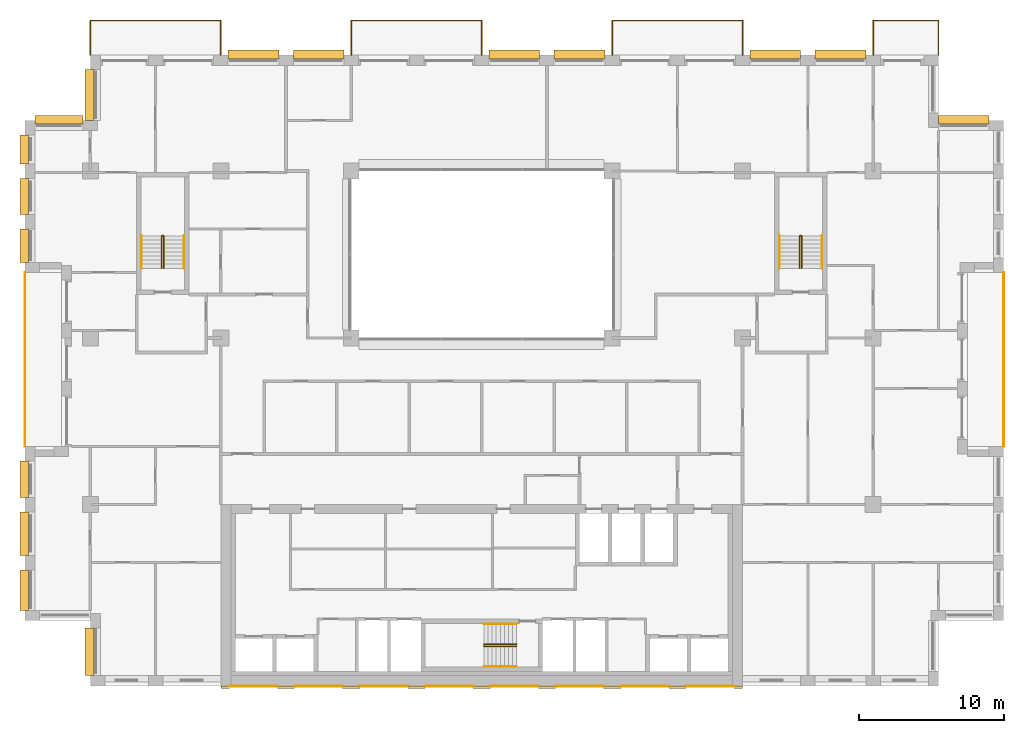
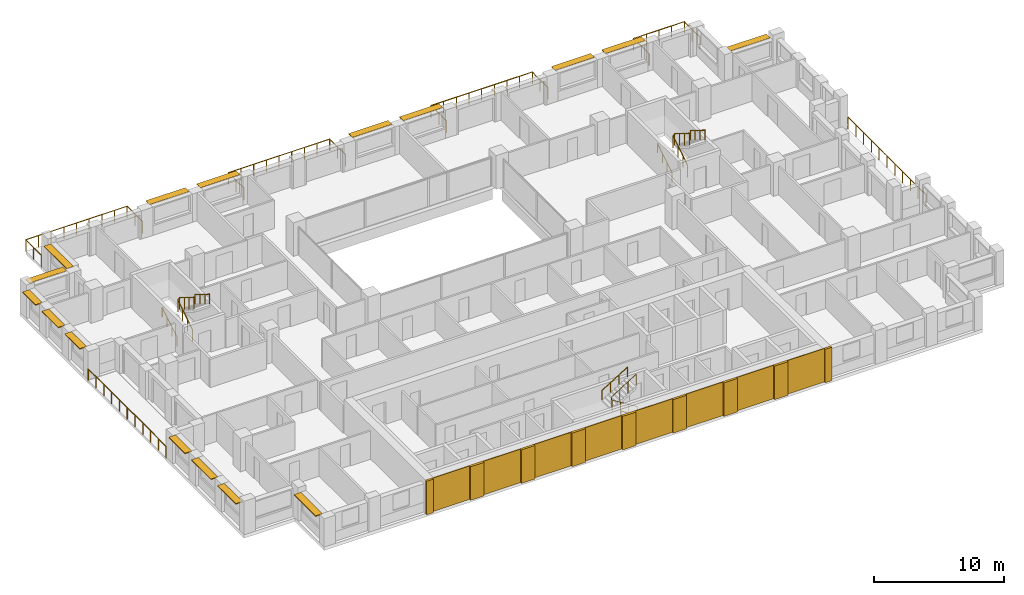
# One storey, part 16 of 16: 17 coverings, 16 shading devices, 15 railings.
"""IFC4 building model written with IfcOpenShell, lengths in metres."""

import ifcopenshell
import ifcopenshell.guid

model = None  # the IFC model being written
_history = None  # IfcOwnerHistory: only IFC2X3 demands one
_inside = {}  # id of a spatial element -> (the spatial element, [elements in it])
_under = {}  # id of a project, library or spatial element -> (it, [spatial elements below it])
_declared = {}  # id of a project -> (the project, [libraries it declares])
_typed = {}  # id of a type object -> (the type object, [elements of that type])
_made_of = {}  # id of a material, layer set ... -> (it, [elements and type objects made of it])


def new_model(schema):
    """Start an empty IFC model of exactly this schema.

    Asked for "IFC4X3", IfcOpenShell would pick the latest addendum, in which some entities
    have other attributes; the version numbers below select the first issue.
    IFC2X3 requires an IfcOwnerHistory on every rooted entity: one is made here for all.
    """
    global model, _history
    if schema == "IFC4X3":
        model = ifcopenshell.file(schema_version=(4, 3, 0, 0))
    else:
        model = ifcopenshell.file(schema=schema)
    _inside.clear()
    _under.clear()
    _declared.clear()
    _typed.clear()
    _made_of.clear()
    _history = None
    if model.schema == "IFC2X3":
        org = make("IfcOrganization", Name="unknown")
        user = make(
            "IfcPersonAndOrganization",
            ThePerson=make("IfcPerson", FamilyName="unknown"),
            TheOrganization=org,
        )
        app = make(
            "IfcApplication",
            ApplicationDeveloper=org,
            Version="unknown",
            ApplicationFullName="unknown",
            ApplicationIdentifier="unknown",
        )
        _history = make(
            "IfcOwnerHistory",
            OwningUser=user,
            OwningApplication=app,
            ChangeAction="ADDED",
            CreationDate=0,
        )
    return model


def make(cls, **values):
    """One entity of the class cls with the attributes given. An attribute that is None is left unset."""
    return model.create_entity(
        cls, **{name: value for name, value in values.items() if value is not None}
    )


def rooted(cls, **values):
    """An entity with a GlobalId (a new one), such as an element, a storey or a relation."""
    return make(cls, GlobalId=ifcopenshell.guid.new(), OwnerHistory=_history, **values)


def si_unit(unit_type, name, prefix=None):
    """IfcSIUnit, for example si_unit("LENGTHUNIT", "METRE", prefix="MILLI")."""
    return make("IfcSIUnit", UnitType=unit_type, Prefix=prefix, Name=name)


def assignment(units):
    """IfcUnitAssignment: the units of a project."""
    return None if units is None else make("IfcUnitAssignment", Units=units)


def point(xyz):
    """IfcCartesianPoint."""
    return None if xyz is None else make("IfcCartesianPoint", Coordinates=xyz)


def direction(xyz):
    """IfcDirection."""
    return None if xyz is None else make("IfcDirection", DirectionRatios=xyz)


def frame(location, z_axis=None, x_axis=None):
    """IfcAxis2Placement3D, a coordinate frame: its origin and axes. An axis left out is left unset."""
    return make(
        "IfcAxis2Placement3D",
        Location=point(location),
        Axis=direction(z_axis),
        RefDirection=direction(x_axis),
    )


def frame_2d(location, x_axis=None):
    """IfcAxis2Placement2D, a coordinate frame in the plane: its origin and x axis."""
    return make(
        "IfcAxis2Placement2D", Location=point(location), RefDirection=direction(x_axis)
    )


def origin():
    """The frame at (0, 0, 0) with its axes left unset."""
    return frame((0.0, 0.0, 0.0))


def origin_2d():
    """The frame at (0, 0) in the plane with its x axis left unset."""
    return frame_2d((0.0, 0.0))


def place(relative_to, where):
    """IfcLocalPlacement: puts the frame where relative to a parent placement (None: the world)."""
    return make(
        "IfcLocalPlacement", PlacementRelTo=relative_to, RelativePlacement=where
    )


def context(
    kind, dimensions, precision=None, world=None, true_north=None, identifier=None
):
    """IfcGeometricRepresentationContext, for example the 3D "Model" context."""
    return make(
        "IfcGeometricRepresentationContext",
        ContextIdentifier=identifier,
        ContextType=kind,
        CoordinateSpaceDimension=dimensions,
        Precision=precision,
        WorldCoordinateSystem=world,
        TrueNorth=true_north,
    )


def subcontext(parent, identifier, kind, view, scale=None):
    """IfcGeometricRepresentationSubContext, for example "Body" below "Model"."""
    return make(
        "IfcGeometricRepresentationSubContext",
        ContextIdentifier=identifier,
        ContextType=kind,
        ParentContext=parent,
        TargetScale=scale,
        TargetView=view,
    )


def project(units=None, contexts=None):
    """IfcProject with its units and contexts."""
    return rooted(
        "IfcProject",
        Name="project",
        RepresentationContexts=contexts,
        UnitsInContext=assignment(units),
    )


def spatial(cls, under=None, at=None, **own):
    """A site, building, storey or space (cls), placed at a placement, below another one or the project."""
    s = rooted(cls, ObjectPlacement=at, **own)
    if under is not None:
        _under.setdefault(under.id(), (under, []))[1].append(s)
    return s


def profile(cls, at=None, kind="AREA", **sizes):
    """A parametric profile (cls). Its sizes go by their IFC names, for example OverallWidth=200.0."""
    return make(cls, ProfileType=kind, Position=at, **sizes)


def rectangle(**sizes):
    """IfcRectangleProfileDef."""
    return profile("IfcRectangleProfileDef", **sizes)


def circle(**sizes):
    """IfcCircleProfileDef."""
    return profile("IfcCircleProfileDef", **sizes)


def extrude(swept, where, along, depth):
    """IfcExtrudedAreaSolid: the profile swept, set in the frame where, extruded along a direction by depth."""
    return make(
        "IfcExtrudedAreaSolid",
        SweptArea=swept,
        Position=where,
        ExtrudedDirection=direction(along),
        Depth=depth,
    )


def shape(context_of_items, identifier, shape_type, items):
    """IfcShapeRepresentation: the items that make up one representation, for example the "Body"."""
    return make(
        "IfcShapeRepresentation",
        ContextOfItems=context_of_items,
        RepresentationIdentifier=identifier,
        RepresentationType=shape_type,
        Items=items,
    )


def material(Name=None, Category=None):
    """IfcMaterial."""
    return make("IfcMaterial", Name=Name, Category=Category)


def layer(
    of_material, thickness, ventilated=None, Name=None, Category=None, Priority=None
):
    """IfcMaterialLayer: one layer of a wall or slab, of a material (None: an air gap)."""
    return make(
        "IfcMaterialLayer",
        Material=of_material,
        LayerThickness=thickness,
        IsVentilated=ventilated,
        Name=Name,
        Category=Category,
        Priority=Priority,
    )


def layer_set(layers, Name=None):
    """IfcMaterialLayerSet."""
    return make("IfcMaterialLayerSet", MaterialLayers=layers, LayerSetName=Name)


def made_of(thing, what):
    """Note that an element or type object is made of a material, layer set ...; save() writes the relation."""
    if what is not None:
        _made_of.setdefault(what.id(), (what, []))[1].append(thing)
    return thing


def type_object(cls, material=None, **own):
    """A type object (cls), such as IfcWallType, which elements share."""
    return made_of(rooted(cls, **own), material)


def element(
    cls,
    number,
    at=None,
    inside=None,
    cuts=None,
    type_object=None,
    material=None,
    context=None,
    identifier="Body",
    shape_type=None,
    held_by="IfcProductDefinitionShape",
    body=None,
    shapes=None,
    **own,
):
    """One element of the class cls, such as IfcWall. Its Tag is "e" and its number.

    at: its placement. inside: the storey or other place that contains it. cuts: it is an
    opening in that element (IfcRelVoidsElement). A single representation is given by context,
    identifier, shape_type and body (its items); several are given by shapes. held_by: the class
    of the entity that holds the representations. save() writes the other relations.
    """
    e = rooted(cls, Tag="e%d" % number, ObjectPlacement=at, **own)
    if body is not None:
        shapes = [shape(context, identifier, shape_type, body)]
    if shapes is not None:
        e.Representation = make(held_by, Representations=shapes)
    if inside is not None:
        _inside.setdefault(inside.id(), (inside, []))[1].append(e)
    if cuts is not None:
        rooted(
            "IfcRelVoidsElement", RelatingBuildingElement=cuts, RelatedOpeningElement=e
        )
    if type_object is not None:
        _typed.setdefault(type_object.id(), (type_object, []))[1].append(e)
    return made_of(e, material)


def aggregate(whole, parts):
    """IfcRelAggregates: a whole, such as a stair, and the parts it consists of."""
    return rooted("IfcRelAggregates", RelatingObject=whole, RelatedObjects=parts)


def save(model, path):
    """Write the relations noted so far, then the file.

    IfcRelAggregates (storeys below a building ...), IfcRelContainedInSpatialStructure (elements
    in a storey), IfcRelDefinesByType, IfcRelAssociatesMaterial and IfcRelDeclares: one each for
    every whole, place, type object, material and project.
    """
    for whole, parts in _under.values():
        aggregate(whole, parts)
    for where, things in _inside.values():
        rooted(
            "IfcRelContainedInSpatialStructure",
            RelatedElements=things,
            RelatingStructure=where,
        )
    for kind, things in _typed.values():
        rooted("IfcRelDefinesByType", RelatedObjects=things, RelatingType=kind)
    for what, things in _made_of.values():
        rooted("IfcRelAssociatesMaterial", RelatedObjects=things, RelatingMaterial=what)
    for by, libraries in _declared.values():
        rooted("IfcRelDeclares", RelatingContext=by, RelatedDefinitions=libraries)
    model.write(path)


model = new_model("IFC4")

# Units and contexts
model_context = context("Model", 3, precision=1e-05, world=origin(), true_north=direction((0.0, 1.0)))
body_context = subcontext(model_context, "Body", "Model", "MODEL_VIEW")
ifc_project = project(units=[si_unit("LENGTHUNIT", "METRE"), si_unit("AREAUNIT", "SQUARE_METRE"), si_unit("VOLUMEUNIT", "CUBIC_METRE"), si_unit("PLANEANGLEUNIT", "RADIAN"), si_unit("MASSUNIT", "GRAM", prefix="KILO")], contexts=[model_context])

# Site, building, storey
site_placement = place(None, origin())
site = spatial("IfcSite", under=ifc_project, at=site_placement, CompositionType="ELEMENT")
building_placement = place(site_placement, origin())
building = spatial("IfcBuilding", under=site, at=building_placement, Name="Brigalow Station Residences", CompositionType="ELEMENT")
storey_placement = place(building_placement, frame((0.0, 0.0, 182.25)))
storey = spatial("IfcBuildingStorey", under=building, at=storey_placement, Name="L53", CompositionType="ELEMENT", Elevation=182.25)

# Railings
ifc_material_1 = material(Name="Stainless steel balustrade with laminated glass infill", Category="steel")
railing_type_1 = type_object("IfcRailingType", Name="BALCONY GUARD 1100", PredefinedType="GUARDRAIL", material=ifc_material_1)
railing_1_placement = place(storey_placement, frame((72.0, 16.5, -0.0400390625)))
element("IfcRailing", 1, at=railing_1_placement, inside=storey, type_object=railing_type_1, Name="L53/balcony-guard/1", PredefinedType="GUARDRAIL", context=body_context, shape_type="SweptSolid", body=[
    extrude(circle(Radius=0.02392578125, at=origin_2d()), frame((0.0, 0.0, 1.076171875), z_axis=(0.0, 1.0, 0.0), x_axis=(-1.0, 0.0, 0.0)), (0.0, 0.0, 1.0), 12.0),
    extrude(circle(Radius=0.02099609375, at=origin_2d()), origin(), (0.0, 0.0, 1.0), 1.052001953125),
    extrude(circle(Radius=0.02099609375, at=origin_2d()), frame((0.0, 1.199951171875, 0.0)), (0.0, 0.0, 1.0), 1.052001953125),
    extrude(circle(Radius=0.02099609375, at=origin_2d()), frame((0.0, 2.39990234375, 0.0)), (0.0, 0.0, 1.0), 1.052001953125),
    extrude(circle(Radius=0.02099609375, at=origin_2d()), frame((0.0, 3.60009765625, 0.0)), (0.0, 0.0, 1.0), 1.052001953125),
    extrude(circle(Radius=0.02099609375, at=origin_2d()), frame((0.0, 4.800048828125, 0.0)), (0.0, 0.0, 1.0), 1.052001953125),
    extrude(circle(Radius=0.02099609375, at=origin_2d()), frame((0.0, 6.0, 0.0)), (0.0, 0.0, 1.0), 1.052001953125),
    extrude(circle(Radius=0.02099609375, at=origin_2d()), frame((0.0, 7.199951171875, 0.0)), (0.0, 0.0, 1.0), 1.052001953125),
    extrude(circle(Radius=0.02099609375, at=origin_2d()), frame((0.0, 8.39990234375, 0.0)), (0.0, 0.0, 1.0), 1.052001953125),
    extrude(circle(Radius=0.02099609375, at=origin_2d()), frame((0.0, 9.60009765625, 0.0)), (0.0, 0.0, 1.0), 1.052001953125),
    extrude(circle(Radius=0.02099609375, at=origin_2d()), frame((0.0, 10.800048828125, 0.0)), (0.0, 0.0, 1.0), 1.052001953125),
    extrude(circle(Radius=0.02099609375, at=origin_2d()), frame((0.0, 12.0, 0.0)), (0.0, 0.0, 1.0), 1.052001953125),
])
railing_2_placement = place(storey_placement, frame((67.5, 43.5, -0.0400390625)))
element("IfcRailing", 2, at=railing_2_placement, inside=storey, type_object=railing_type_1, Name="L53/balcony-guard/2", PredefinedType="GUARDRAIL", context=body_context, shape_type="SweptSolid", body=[
    extrude(circle(Radius=0.02392578125, at=origin_2d()), frame((0.0, 0.0, 1.076171875), z_axis=(0.0, 1.0, 0.0), x_axis=(-1.0, 0.0, 0.0)), (0.0, 0.0, 1.0), 2.39990234375),
    extrude(circle(Radius=0.02392578125, at=origin_2d()), frame((0.0, 2.39990234375, 1.076171875), z_axis=(-1.0, 0.0, 0.0), x_axis=(0.0, -1.0, 0.0)), (0.0, 0.0, 1.0), 4.5),
    extrude(circle(Radius=0.02392578125, at=origin_2d()), frame((-4.5, 2.39990234375, 1.076171875), z_axis=(0.0, -1.0, 0.0), x_axis=(1.0, 0.0, 0.0)), (0.0, 0.0, 1.0), 2.39990234375),
    extrude(circle(Radius=0.02099609375, at=origin_2d()), origin(), (0.0, 0.0, 1.0), 1.052001953125),
    extrude(circle(Radius=0.02099609375, at=origin_2d()), frame((0.0, 1.199951171875, 0.0)), (0.0, 0.0, 1.0), 1.052001953125),
    extrude(circle(Radius=0.02099609375, at=origin_2d()), frame((0.0, 2.39990234375, 0.0)), (0.0, 0.0, 1.0), 1.052001953125),
    extrude(circle(Radius=0.02099609375, at=origin_2d()), frame((-1.125, 2.39990234375, 0.0)), (0.0, 0.0, 1.0), 1.052001953125),
    extrude(circle(Radius=0.02099609375, at=origin_2d()), frame((-2.25, 2.39990234375, 0.0)), (0.0, 0.0, 1.0), 1.052001953125),
    extrude(circle(Radius=0.02099609375, at=origin_2d()), frame((-3.375, 2.39990234375, 0.0)), (0.0, 0.0, 1.0), 1.052001953125),
    extrude(circle(Radius=0.02099609375, at=origin_2d()), frame((-4.5, 2.39990234375, 0.0)), (0.0, 0.0, 1.0), 1.052001953125),
    extrude(circle(Radius=0.02099609375, at=origin_2d()), frame((-4.5, 1.199951171875, 0.0)), (0.0, 0.0, 1.0), 1.052001953125),
    extrude(circle(Radius=0.02099609375, at=origin_2d()), frame((-4.5, 0.0, 0.0)), (0.0, 0.0, 1.0), 1.052001953125),
])
railing_3_placement = place(storey_placement, frame((54.0, 43.5, -0.0400390625)))
element("IfcRailing", 3, at=railing_3_placement, inside=storey, type_object=railing_type_1, Name="L53/balcony-guard/3", PredefinedType="GUARDRAIL", context=body_context, shape_type="SweptSolid", body=[
    extrude(circle(Radius=0.02392578125, at=origin_2d()), frame((0.0, 0.0, 1.076171875), z_axis=(0.0, 1.0, 0.0), x_axis=(-1.0, 0.0, 0.0)), (0.0, 0.0, 1.0), 2.39990234375),
    extrude(circle(Radius=0.02392578125, at=origin_2d()), frame((0.0, 2.39990234375, 1.076171875), z_axis=(-1.0, 0.0, 0.0), x_axis=(0.0, -1.0, 0.0)), (0.0, 0.0, 1.0), 9.0),
    extrude(circle(Radius=0.02392578125, at=origin_2d()), frame((-9.0, 2.39990234375, 1.076171875), z_axis=(0.0, -1.0, 0.0), x_axis=(1.0, 0.0, 0.0)), (0.0, 0.0, 1.0), 2.39990234375),
    extrude(circle(Radius=0.02099609375, at=origin_2d()), origin(), (0.0, 0.0, 1.0), 1.052001953125),
    extrude(circle(Radius=0.02099609375, at=origin_2d()), frame((0.0, 1.199951171875, 0.0)), (0.0, 0.0, 1.0), 1.052001953125),
    extrude(circle(Radius=0.02099609375, at=origin_2d()), frame((0.0, 2.39990234375, 0.0)), (0.0, 0.0, 1.0), 1.052001953125),
    extrude(circle(Radius=0.02099609375, at=origin_2d()), frame((-1.125, 2.39990234375, 0.0)), (0.0, 0.0, 1.0), 1.052001953125),
    extrude(circle(Radius=0.02099609375, at=origin_2d()), frame((-2.25, 2.39990234375, 0.0)), (0.0, 0.0, 1.0), 1.052001953125),
    extrude(circle(Radius=0.02099609375, at=origin_2d()), frame((-3.375, 2.39990234375, 0.0)), (0.0, 0.0, 1.0), 1.052001953125),
    extrude(circle(Radius=0.02099609375, at=origin_2d()), frame((-4.5, 2.39990234375, 0.0)), (0.0, 0.0, 1.0), 1.052001953125),
    extrude(circle(Radius=0.02099609375, at=origin_2d()), frame((-5.625, 2.39990234375, 0.0)), (0.0, 0.0, 1.0), 1.052001953125),
    extrude(circle(Radius=0.02099609375, at=origin_2d()), frame((-6.75, 2.39990234375, 0.0)), (0.0, 0.0, 1.0), 1.052001953125),
    extrude(circle(Radius=0.02099609375, at=origin_2d()), frame((-7.875, 2.39990234375, 0.0)), (0.0, 0.0, 1.0), 1.052001953125),
    extrude(circle(Radius=0.02099609375, at=origin_2d()), frame((-9.0, 2.39990234375, 0.0)), (0.0, 0.0, 1.0), 1.052001953125),
    extrude(circle(Radius=0.02099609375, at=origin_2d()), frame((-9.0, 1.199951171875, 0.0)), (0.0, 0.0, 1.0), 1.052001953125),
    extrude(circle(Radius=0.02099609375, at=origin_2d()), frame((-9.0, 0.0, 0.0)), (0.0, 0.0, 1.0), 1.052001953125),
])
railing_4_placement = place(storey_placement, frame((36.0, 43.5, -0.0400390625)))
element("IfcRailing", 4, at=railing_4_placement, inside=storey, type_object=railing_type_1, Name="L53/balcony-guard/4", PredefinedType="GUARDRAIL", context=body_context, shape_type="SweptSolid", body=[
    extrude(circle(Radius=0.02392578125, at=origin_2d()), frame((0.0, 0.0, 1.076171875), z_axis=(0.0, 1.0, 0.0), x_axis=(-1.0, 0.0, 0.0)), (0.0, 0.0, 1.0), 2.39990234375),
    extrude(circle(Radius=0.02392578125, at=origin_2d()), frame((0.0, 2.39990234375, 1.076171875), z_axis=(-1.0, 0.0, 0.0), x_axis=(0.0, -1.0, 0.0)), (0.0, 0.0, 1.0), 9.0),
    extrude(circle(Radius=0.02392578125, at=origin_2d()), frame((-9.0, 2.39990234375, 1.076171875), z_axis=(0.0, -1.0, 0.0), x_axis=(1.0, 0.0, 0.0)), (0.0, 0.0, 1.0), 2.39990234375),
    extrude(circle(Radius=0.02099609375, at=origin_2d()), origin(), (0.0, 0.0, 1.0), 1.052001953125),
    extrude(circle(Radius=0.02099609375, at=origin_2d()), frame((0.0, 1.199951171875, 0.0)), (0.0, 0.0, 1.0), 1.052001953125),
    extrude(circle(Radius=0.02099609375, at=origin_2d()), frame((0.0, 2.39990234375, 0.0)), (0.0, 0.0, 1.0), 1.052001953125),
    extrude(circle(Radius=0.02099609375, at=origin_2d()), frame((-1.125, 2.39990234375, 0.0)), (0.0, 0.0, 1.0), 1.052001953125),
    extrude(circle(Radius=0.02099609375, at=origin_2d()), frame((-2.25, 2.39990234375, 0.0)), (0.0, 0.0, 1.0), 1.052001953125),
    extrude(circle(Radius=0.02099609375, at=origin_2d()), frame((-3.375, 2.39990234375, 0.0)), (0.0, 0.0, 1.0), 1.052001953125),
    extrude(circle(Radius=0.02099609375, at=origin_2d()), frame((-4.5, 2.39990234375, 0.0)), (0.0, 0.0, 1.0), 1.052001953125),
    extrude(circle(Radius=0.02099609375, at=origin_2d()), frame((-5.625, 2.39990234375, 0.0)), (0.0, 0.0, 1.0), 1.052001953125),
    extrude(circle(Radius=0.02099609375, at=origin_2d()), frame((-6.75, 2.39990234375, 0.0)), (0.0, 0.0, 1.0), 1.052001953125),
    extrude(circle(Radius=0.02099609375, at=origin_2d()), frame((-7.875, 2.39990234375, 0.0)), (0.0, 0.0, 1.0), 1.052001953125),
    extrude(circle(Radius=0.02099609375, at=origin_2d()), frame((-9.0, 2.39990234375, 0.0)), (0.0, 0.0, 1.0), 1.052001953125),
    extrude(circle(Radius=0.02099609375, at=origin_2d()), frame((-9.0, 1.199951171875, 0.0)), (0.0, 0.0, 1.0), 1.052001953125),
    extrude(circle(Radius=0.02099609375, at=origin_2d()), frame((-9.0, 0.0, 0.0)), (0.0, 0.0, 1.0), 1.052001953125),
])
railing_5_placement = place(storey_placement, frame((18.0, 43.5, -0.0400390625)))
element("IfcRailing", 5, at=railing_5_placement, inside=storey, type_object=railing_type_1, Name="L53/balcony-guard/5", PredefinedType="GUARDRAIL", context=body_context, shape_type="SweptSolid", body=[
    extrude(circle(Radius=0.02392578125, at=origin_2d()), frame((0.0, 0.0, 1.076171875), z_axis=(0.0, 1.0, 0.0), x_axis=(-1.0, 0.0, 0.0)), (0.0, 0.0, 1.0), 2.39990234375),
    extrude(circle(Radius=0.02392578125, at=origin_2d()), frame((0.0, 2.39990234375, 1.076171875), z_axis=(-1.0, 0.0, 0.0), x_axis=(0.0, -1.0, 0.0)), (0.0, 0.0, 1.0), 9.0),
    extrude(circle(Radius=0.02392578125, at=origin_2d()), frame((-9.0, 2.39990234375, 1.076171875), z_axis=(0.0, -1.0, 0.0), x_axis=(1.0, 0.0, 0.0)), (0.0, 0.0, 1.0), 2.39990234375),
    extrude(circle(Radius=0.02099609375, at=origin_2d()), origin(), (0.0, 0.0, 1.0), 1.052001953125),
    extrude(circle(Radius=0.02099609375, at=origin_2d()), frame((0.0, 1.199951171875, 0.0)), (0.0, 0.0, 1.0), 1.052001953125),
    extrude(circle(Radius=0.02099609375, at=origin_2d()), frame((0.0, 2.39990234375, 0.0)), (0.0, 0.0, 1.0), 1.052001953125),
    extrude(circle(Radius=0.02099609375, at=origin_2d()), frame((-1.125, 2.39990234375, 0.0)), (0.0, 0.0, 1.0), 1.052001953125),
    extrude(circle(Radius=0.02099609375, at=origin_2d()), frame((-2.25, 2.39990234375, 0.0)), (0.0, 0.0, 1.0), 1.052001953125),
    extrude(circle(Radius=0.02099609375, at=origin_2d()), frame((-3.375, 2.39990234375, 0.0)), (0.0, 0.0, 1.0), 1.052001953125),
    extrude(circle(Radius=0.02099609375, at=origin_2d()), frame((-4.5, 2.39990234375, 0.0)), (0.0, 0.0, 1.0), 1.052001953125),
    extrude(circle(Radius=0.02099609375, at=origin_2d()), frame((-5.625, 2.39990234375, 0.0)), (0.0, 0.0, 1.0), 1.052001953125),
    extrude(circle(Radius=0.02099609375, at=origin_2d()), frame((-6.75, 2.39990234375, 0.0)), (0.0, 0.0, 1.0), 1.052001953125),
    extrude(circle(Radius=0.02099609375, at=origin_2d()), frame((-7.875, 2.39990234375, 0.0)), (0.0, 0.0, 1.0), 1.052001953125),
    extrude(circle(Radius=0.02099609375, at=origin_2d()), frame((-9.0, 2.39990234375, 0.0)), (0.0, 0.0, 1.0), 1.052001953125),
    extrude(circle(Radius=0.02099609375, at=origin_2d()), frame((-9.0, 1.199951171875, 0.0)), (0.0, 0.0, 1.0), 1.052001953125),
    extrude(circle(Radius=0.02099609375, at=origin_2d()), frame((-9.0, 0.0, 0.0)), (0.0, 0.0, 1.0), 1.052001953125),
])
railing_6_placement = place(storey_placement, frame((4.5, 28.5, -0.0400390625)))
element("IfcRailing", 6, at=railing_6_placement, inside=storey, type_object=railing_type_1, Name="L53/balcony-guard/6", PredefinedType="GUARDRAIL", context=body_context, shape_type="SweptSolid", body=[
    extrude(circle(Radius=0.02392578125, at=origin_2d()), frame((0.0, 0.0, 1.076171875), z_axis=(0.0, -1.0, 0.0), x_axis=(1.0, 0.0, 0.0)), (0.0, 0.0, 1.0), 12.0),
    extrude(circle(Radius=0.02099609375, at=origin_2d()), origin(), (0.0, 0.0, 1.0), 1.052001953125),
    extrude(circle(Radius=0.02099609375, at=origin_2d()), frame((0.0, -1.199951171875, 0.0)), (0.0, 0.0, 1.0), 1.052001953125),
    extrude(circle(Radius=0.02099609375, at=origin_2d()), frame((0.0, -2.39990234375, 0.0)), (0.0, 0.0, 1.0), 1.052001953125),
    extrude(circle(Radius=0.02099609375, at=origin_2d()), frame((0.0, -3.60009765625, 0.0)), (0.0, 0.0, 1.0), 1.052001953125),
    extrude(circle(Radius=0.02099609375, at=origin_2d()), frame((0.0, -4.800048828125, 0.0)), (0.0, 0.0, 1.0), 1.052001953125),
    extrude(circle(Radius=0.02099609375, at=origin_2d()), frame((0.0, -6.0, 0.0)), (0.0, 0.0, 1.0), 1.052001953125),
    extrude(circle(Radius=0.02099609375, at=origin_2d()), frame((0.0, -7.199951171875, 0.0)), (0.0, 0.0, 1.0), 1.052001953125),
    extrude(circle(Radius=0.02099609375, at=origin_2d()), frame((0.0, -8.39990234375, 0.0)), (0.0, 0.0, 1.0), 1.052001953125),
    extrude(circle(Radius=0.02099609375, at=origin_2d()), frame((0.0, -9.60009765625, 0.0)), (0.0, 0.0, 1.0), 1.052001953125),
    extrude(circle(Radius=0.02099609375, at=origin_2d()), frame((0.0, -10.800048828125, 0.0)), (0.0, 0.0, 1.0), 1.052001953125),
    extrude(circle(Radius=0.02099609375, at=origin_2d()), frame((0.0, -12.0, 0.0)), (0.0, 0.0, 1.0), 1.052001953125),
])

# Coverings
ifc_material_2 = material(Name="Clay brick masonry", Category="masonry")
ifc_layer_1 = layer(ifc_material_2, 0.06005859375)
ifc_layer_set_1 = layer_set([ifc_layer_1], Name="BRICK PANEL FACING 60")
covering_type_1 = type_object("IfcCoveringType", Name="BRICK PANEL FACING 60", PredefinedType="CLADDING", material=ifc_layer_set_1)
for number, where, z_axis, x_axis, name in (
    (7, (20.25, -0.030029296875, 0.0), (0.0, 0.0, 1.0), (1.0, 0.0, 0.0), "L53/rear-facing/panel-1"),
    (8, (24.75, -0.030029296875, 0.0), (0.0, 0.0, 1.0), (1.0, 0.0, 0.0), "L53/rear-facing/panel-2"),
    (9, (29.25, -0.030029296875, 0.0), (0.0, 0.0, 1.0), (1.0, 0.0, 0.0), "L53/rear-facing/panel-3"),
    (10, (33.75, -0.030029296875, 0.0), (0.0, 0.0, 1.0), (1.0, 0.0, 0.0), "L53/rear-facing/panel-4"),
    (11, (38.25, -0.030029296875, 0.0), (0.0, 0.0, 1.0), (1.0, 0.0, 0.0), "L53/rear-facing/panel-5"),
    (12, (42.75, -0.030029296875, 0.0), (0.0, 0.0, 1.0), (1.0, 0.0, 0.0), "L53/rear-facing/panel-6"),
    (13, (47.25, -0.030029296875, 0.0), (0.0, 0.0, 1.0), (1.0, 0.0, 0.0), "L53/rear-facing/panel-7"),
    (14, (51.75, -0.030029296875, 0.0), (0.0, 0.0, 1.0), (1.0, 0.0, 0.0), "L53/rear-facing/panel-8"),
):
    element("IfcCovering", number, at=place(storey_placement, frame(where, z_axis=z_axis, x_axis=x_axis)), inside=storey, type_object=covering_type_1, Name=name, PredefinedType="CLADDING", context=body_context, shape_type="SweptSolid", body=[
        extrude(rectangle(XDim=3.300048828125, YDim=0.06005859375, at=origin_2d()), origin(), (0.0, 0.0, 1.0), 3.14990234375),
    ])
ifc_material_3 = material(Name="Clay brick masonry", Category="masonry")
ifc_layer_2 = layer(ifc_material_3, 0.199951171875)
ifc_layer_set_2 = layer_set([ifc_layer_2], Name="BRICK PIER FACING 200")
covering_type_2 = type_object("IfcCoveringType", Name="BRICK PIER FACING 200", PredefinedType="CLADDING", material=ifc_layer_set_2)
covering_1_placement = place(storey_placement, frame((18.300048828125, -0.10009765625, 0.0), z_axis=(0.0, 0.0, 1.0), x_axis=(1.0, 0.0, 0.0)))
element("IfcCovering", 15, at=covering_1_placement, inside=storey, type_object=covering_type_2, Name="L53/rear-facing/pier-1", PredefinedType="CLADDING", context=body_context, shape_type="SweptSolid", body=[
    extrude(rectangle(XDim=0.60009765625, YDim=0.199951171875, at=origin_2d()), origin(), (0.0, 0.0, 1.0), 3.14990234375),
])
for number, where, z_axis, x_axis, name in (
    (16, (22.5, -0.10009765625, 0.0), (0.0, 0.0, 1.0), (1.0, 0.0, 0.0), "L53/rear-facing/pier-2"),
    (17, (27.0, -0.10009765625, 0.0), (0.0, 0.0, 1.0), (1.0, 0.0, 0.0), "L53/rear-facing/pier-3"),
    (18, (31.5, -0.10009765625, 0.0), (0.0, 0.0, 1.0), (1.0, 0.0, 0.0), "L53/rear-facing/pier-4"),
    (19, (36.0, -0.10009765625, 0.0), (0.0, 0.0, 1.0), (1.0, 0.0, 0.0), "L53/rear-facing/pier-5"),
    (20, (40.5, -0.10009765625, 0.0), (0.0, 0.0, 1.0), (1.0, 0.0, 0.0), "L53/rear-facing/pier-6"),
    (21, (45.0, -0.10009765625, 0.0), (0.0, 0.0, 1.0), (1.0, 0.0, 0.0), "L53/rear-facing/pier-7"),
    (22, (49.5, -0.10009765625, 0.0), (0.0, 0.0, 1.0), (1.0, 0.0, 0.0), "L53/rear-facing/pier-8"),
):
    element("IfcCovering", number, at=place(storey_placement, frame(where, z_axis=z_axis, x_axis=x_axis)), inside=storey, type_object=covering_type_2, Name=name, PredefinedType="CLADDING", context=body_context, shape_type="SweptSolid", body=[
        extrude(rectangle(XDim=1.199951171875, YDim=0.199951171875, at=origin_2d()), origin(), (0.0, 0.0, 1.0), 3.14990234375),
    ])
covering_2_placement = place(storey_placement, frame((53.699951171875, -0.10009765625, 0.0), z_axis=(0.0, 0.0, 1.0), x_axis=(1.0, 0.0, 0.0)))
element("IfcCovering", 23, at=covering_2_placement, inside=storey, type_object=covering_type_2, Name="L53/rear-facing/pier-9", PredefinedType="CLADDING", context=body_context, shape_type="SweptSolid", body=[
    extrude(rectangle(XDim=0.60009765625, YDim=0.199951171875, at=origin_2d()), origin(), (0.0, 0.0, 1.0), 3.14990234375),
])

# Railings
ifc_material_4 = material(Name="Stainless steel balustrade", Category="steel")
railing_type_2 = type_object("IfcRailingType", Name="STAIR GUARD 1100", PredefinedType="GUARDRAIL", material=ifc_material_4)
railing_7_placement = place(storey_placement, frame((38.39990234375, 2.72998046875, 0.175048828125)))
element("IfcRailing", 24, at=railing_7_placement, inside=storey, type_object=railing_type_2, Name="GUARD GR-2", PredefinedType="GUARDRAIL", context=body_context, shape_type="SweptSolid", body=[
    extrude(circle(Radius=0.02392578125, at=origin_2d()), frame((0.0, 0.0, 1.076171875), z_axis=(-0.848013881152, 0.0, 0.529974015752), x_axis=(0.0, -1.0, 0.0)), (0.0, 0.0, 1.0), 2.641357421875),
    extrude(circle(Radius=0.02392578125, at=origin_2d()), frame((-2.239990234375, 0.0, 2.47607421875), z_axis=(0.0, 0.624960567888, 0.780656319122), x_axis=(-1.0, 0.0, 0.0)), (0.0, 0.0, 1.0), 0.22412109375),
    extrude(circle(Radius=0.02392578125, at=origin_2d()), frame((-2.239990234375, 0.14013671875, 2.65087890625), z_axis=(0.848013881152, 0.0, 0.529974015752), x_axis=(0.0, 1.0, 0.0)), (0.0, 0.0, 1.0), 2.641357421875),
    extrude(circle(Radius=0.02099609375, at=origin_2d()), origin(), (0.0, 0.0, 1.0), 1.052001953125),
    extrude(circle(Radius=0.02099609375, at=origin_2d()), frame((-0.74658203125, 0.0, 0.466552734375)), (0.0, 0.0, 1.0), 1.052001953125),
    extrude(circle(Radius=0.02099609375, at=origin_2d()), frame((-1.493408203125, 0.0, 0.933349609375)), (0.0, 0.0, 1.0), 1.052001953125),
    extrude(circle(Radius=0.02099609375, at=origin_2d()), frame((-2.239990234375, 0.0, 1.39990234375)), (0.0, 0.0, 1.0), 1.052001953125),
    extrude(circle(Radius=0.02099609375, at=origin_2d()), frame((-2.239990234375, 0.14013671875, 1.574951171875)), (0.0, 0.0, 1.0), 1.052001953125),
    extrude(circle(Radius=0.02099609375, at=origin_2d()), frame((-1.493408203125, 0.14013671875, 2.04150390625)), (0.0, 0.0, 1.0), 1.052001953125),
    extrude(circle(Radius=0.02099609375, at=origin_2d()), frame((-0.74658203125, 0.14013671875, 2.50830078125)), (0.0, 0.0, 1.0), 1.052001953125),
    extrude(circle(Radius=0.02099609375, at=origin_2d()), frame((0.0, 0.14013671875, 2.974853515625)), (0.0, 0.0, 1.0), 1.052001953125),
])
for number, where, name in (
    (25, (13.929931640625, 28.800048828125, 0.175048828125), "GUARD GR-1"),
    (26, (57.929931640625, 28.800048828125, 0.175048828125), "GUARD GR-3"),
):
    element("IfcRailing", number, at=place(storey_placement, frame(where)), inside=storey, type_object=railing_type_2, Name=name, PredefinedType="GUARDRAIL", context=body_context, shape_type="SweptSolid", body=[
        extrude(circle(Radius=0.02392578125, at=origin_2d()), frame((0.0, 0.0, 1.076171875), z_axis=(0.0, 0.848013881152, 0.529974015752), x_axis=(-1.0, 0.0, 0.0)), (0.0, 0.0, 1.0), 2.641357421875),
        extrude(circle(Radius=0.02392578125, at=origin_2d()), frame((0.0, 2.239990234375, 2.47607421875), z_axis=(0.624960567888, 0.0, 0.780656319122), x_axis=(0.0, 1.0, 0.0)), (0.0, 0.0, 1.0), 0.22412109375),
        extrude(circle(Radius=0.02392578125, at=origin_2d()), frame((0.14013671875, 2.239990234375, 2.65087890625), z_axis=(0.0, -0.848013881152, 0.529974015752), x_axis=(1.0, 0.0, 0.0)), (0.0, 0.0, 1.0), 2.641357421875),
        extrude(circle(Radius=0.02099609375, at=origin_2d()), origin(), (0.0, 0.0, 1.0), 1.052001953125),
        extrude(circle(Radius=0.02099609375, at=origin_2d()), frame((0.0, 0.74658203125, 0.466552734375)), (0.0, 0.0, 1.0), 1.052001953125),
        extrude(circle(Radius=0.02099609375, at=origin_2d()), frame((0.0, 1.493408203125, 0.933349609375)), (0.0, 0.0, 1.0), 1.052001953125),
        extrude(circle(Radius=0.02099609375, at=origin_2d()), frame((0.0, 2.239990234375, 1.39990234375)), (0.0, 0.0, 1.0), 1.052001953125),
        extrude(circle(Radius=0.02099609375, at=origin_2d()), frame((0.14013671875, 2.239990234375, 1.574951171875)), (0.0, 0.0, 1.0), 1.052001953125),
        extrude(circle(Radius=0.02099609375, at=origin_2d()), frame((0.14013671875, 1.493408203125, 2.04150390625)), (0.0, 0.0, 1.0), 1.052001953125),
        extrude(circle(Radius=0.02099609375, at=origin_2d()), frame((0.14013671875, 0.74658203125, 2.50830078125)), (0.0, 0.0, 1.0), 1.052001953125),
        extrude(circle(Radius=0.02099609375, at=origin_2d()), frame((0.14013671875, 0.0, 2.974853515625)), (0.0, 0.0, 1.0), 1.052001953125),
    ])
ifc_material_5 = material(Name="Stainless steel handrail", Category="steel")
railing_type_3 = type_object("IfcRailingType", Name="STAIR HANDRAIL 900", PredefinedType="HANDRAIL", material=ifc_material_5)
railing_8_placement = place(storey_placement, frame((38.39990234375, 1.340087890625, 0.175048828125)))
element("IfcRailing", 27, at=railing_8_placement, inside=storey, type_object=railing_type_3, Name="HANDRAIL HR-21", PredefinedType="HANDRAIL", context=body_context, shape_type="SweptSolid", body=[
    extrude(circle(Radius=0.02392578125, at=origin_2d()), frame((0.0, 0.0, 0.8759765625), z_axis=(-0.848013881152, 0.0, 0.529974015752), x_axis=(0.0, -1.0, 0.0)), (0.0, 0.0, 1.0), 2.641357421875),
    extrude(circle(Radius=0.02099609375, at=origin_2d()), origin(), (0.0, 0.0, 1.0), 0.851806640625),
    extrude(circle(Radius=0.02099609375, at=origin_2d()), frame((-0.74658203125, 0.0, 0.466552734375)), (0.0, 0.0, 1.0), 0.851806640625),
    extrude(circle(Radius=0.02099609375, at=origin_2d()), frame((-1.493408203125, 0.0, 0.933349609375)), (0.0, 0.0, 1.0), 0.851806640625),
    extrude(circle(Radius=0.02099609375, at=origin_2d()), frame((-2.239990234375, 0.0, 1.39990234375)), (0.0, 0.0, 1.0), 0.851806640625),
])
railing_9_placement = place(storey_placement, frame((36.159912109375, 4.260009765625, 1.75)))
element("IfcRailing", 28, at=railing_9_placement, inside=storey, type_object=railing_type_3, Name="HANDRAIL HR-22", PredefinedType="HANDRAIL", context=body_context, shape_type="SweptSolid", body=[
    extrude(circle(Radius=0.02392578125, at=origin_2d()), frame((0.0, 0.0, 0.8759765625), z_axis=(0.848013881152, 0.0, 0.529974015752), x_axis=(0.0, 1.0, 0.0)), (0.0, 0.0, 1.0), 2.641357421875),
    extrude(circle(Radius=0.02099609375, at=origin_2d()), origin(), (0.0, 0.0, 1.0), 0.851806640625),
    extrude(circle(Radius=0.02099609375, at=origin_2d()), frame((0.74658203125, 0.0, 0.466552734375)), (0.0, 0.0, 1.0), 0.851806640625),
    extrude(circle(Radius=0.02099609375, at=origin_2d()), frame((1.493408203125, 0.0, 0.933349609375)), (0.0, 0.0, 1.0), 0.851806640625),
    extrude(circle(Radius=0.02099609375, at=origin_2d()), frame((2.239990234375, 0.0, 1.39990234375)), (0.0, 0.0, 1.0), 0.851806640625),
])
railing_10_placement = place(storey_placement, frame((12.5400390625, 28.800048828125, 0.175048828125)))
element("IfcRailing", 29, at=railing_10_placement, inside=storey, type_object=railing_type_3, Name="HANDRAIL HR-11", PredefinedType="HANDRAIL", context=body_context, shape_type="SweptSolid", body=[
    extrude(circle(Radius=0.02392578125, at=origin_2d()), frame((0.0, 0.0, 0.8759765625), z_axis=(0.0, 0.848013881152, 0.529974015752), x_axis=(-1.0, 0.0, 0.0)), (0.0, 0.0, 1.0), 2.641357421875),
    extrude(circle(Radius=0.02099609375, at=origin_2d()), origin(), (0.0, 0.0, 1.0), 0.851806640625),
    extrude(circle(Radius=0.02099609375, at=origin_2d()), frame((0.0, 0.74658203125, 0.466552734375)), (0.0, 0.0, 1.0), 0.851806640625),
    extrude(circle(Radius=0.02099609375, at=origin_2d()), frame((0.0, 1.493408203125, 0.933349609375)), (0.0, 0.0, 1.0), 0.851806640625),
    extrude(circle(Radius=0.02099609375, at=origin_2d()), frame((0.0, 2.239990234375, 1.39990234375)), (0.0, 0.0, 1.0), 0.851806640625),
])
railing_11_placement = place(storey_placement, frame((15.4599609375, 31.0400390625, 1.75)))
element("IfcRailing", 30, at=railing_11_placement, inside=storey, type_object=railing_type_3, Name="HANDRAIL HR-12", PredefinedType="HANDRAIL", context=body_context, shape_type="SweptSolid", body=[
    extrude(circle(Radius=0.02392578125, at=origin_2d()), frame((0.0, 0.0, 0.8759765625), z_axis=(0.0, -0.848013881152, 0.529974015752), x_axis=(1.0, 0.0, 0.0)), (0.0, 0.0, 1.0), 2.641357421875),
    extrude(circle(Radius=0.02099609375, at=origin_2d()), origin(), (0.0, 0.0, 1.0), 0.851806640625),
    extrude(circle(Radius=0.02099609375, at=origin_2d()), frame((0.0, -0.74658203125, 0.466552734375)), (0.0, 0.0, 1.0), 0.851806640625),
    extrude(circle(Radius=0.02099609375, at=origin_2d()), frame((0.0, -1.493408203125, 0.933349609375)), (0.0, 0.0, 1.0), 0.851806640625),
    extrude(circle(Radius=0.02099609375, at=origin_2d()), frame((0.0, -2.239990234375, 1.39990234375)), (0.0, 0.0, 1.0), 0.851806640625),
])
railing_12_placement = place(storey_placement, frame((56.5400390625, 28.800048828125, 0.175048828125)))
element("IfcRailing", 31, at=railing_12_placement, inside=storey, type_object=railing_type_3, Name="HANDRAIL HR-31", PredefinedType="HANDRAIL", context=body_context, shape_type="SweptSolid", body=[
    extrude(circle(Radius=0.02392578125, at=origin_2d()), frame((0.0, 0.0, 0.8759765625), z_axis=(0.0, 0.848013881152, 0.529974015752), x_axis=(-1.0, 0.0, 0.0)), (0.0, 0.0, 1.0), 2.641357421875),
    extrude(circle(Radius=0.02099609375, at=origin_2d()), origin(), (0.0, 0.0, 1.0), 0.851806640625),
    extrude(circle(Radius=0.02099609375, at=origin_2d()), frame((0.0, 0.74658203125, 0.466552734375)), (0.0, 0.0, 1.0), 0.851806640625),
    extrude(circle(Radius=0.02099609375, at=origin_2d()), frame((0.0, 1.493408203125, 0.933349609375)), (0.0, 0.0, 1.0), 0.851806640625),
    extrude(circle(Radius=0.02099609375, at=origin_2d()), frame((0.0, 2.239990234375, 1.39990234375)), (0.0, 0.0, 1.0), 0.851806640625),
])
railing_13_placement = place(storey_placement, frame((59.4599609375, 31.0400390625, 1.75)))
element("IfcRailing", 32, at=railing_13_placement, inside=storey, type_object=railing_type_3, Name="HANDRAIL HR-32", PredefinedType="HANDRAIL", context=body_context, shape_type="SweptSolid", body=[
    extrude(circle(Radius=0.02392578125, at=origin_2d()), frame((0.0, 0.0, 0.8759765625), z_axis=(0.0, -0.848013881152, 0.529974015752), x_axis=(1.0, 0.0, 0.0)), (0.0, 0.0, 1.0), 2.641357421875),
    extrude(circle(Radius=0.02099609375, at=origin_2d()), origin(), (0.0, 0.0, 1.0), 0.851806640625),
    extrude(circle(Radius=0.02099609375, at=origin_2d()), frame((0.0, -0.74658203125, 0.466552734375)), (0.0, 0.0, 1.0), 0.851806640625),
    extrude(circle(Radius=0.02099609375, at=origin_2d()), frame((0.0, -1.493408203125, 0.933349609375)), (0.0, 0.0, 1.0), 0.851806640625),
    extrude(circle(Radius=0.02099609375, at=origin_2d()), frame((0.0, -2.239990234375, 1.39990234375)), (0.0, 0.0, 1.0), 0.851806640625),
])

# Shading devices
ifc_material_6 = material(Name="Powder-coated extruded aluminium blade", Category="aluminium")
ifc_layer_3 = layer(ifc_material_6, 0.080078125)
ifc_layer_set_3 = layer_set([ifc_layer_3], Name="SUNSHADE BLADE 600x80")
shading_device_type = type_object("IfcShadingDeviceType", Name="SUNSHADE BLADE 600x80", PredefinedType="JALOUSIE", material=ifc_layer_set_3)
for number, where, z_axis, x_axis, name in (
    (33, (69.25, 39.050048828125, 2.550048828125), (0.0, 0.0, 1.0), (-1.0, 0.0, 0.0), "L53/blade/W-L53-20"),
    (34, (60.75, 43.550048828125, 2.550048828125), (0.0, 0.0, 1.0), (-1.0, 0.0, 0.0), "L53/blade/W-L53-23"),
    (35, (56.25, 43.550048828125, 2.550048828125), (0.0, 0.0, 1.0), (-1.0, 0.0, 0.0), "L53/blade/W-L53-24"),
    (36, (42.75, 43.550048828125, 2.550048828125), (0.0, 0.0, 1.0), (-1.0, 0.0, 0.0), "L53/blade/W-L53-27"),
    (37, (38.25, 43.550048828125, 2.550048828125), (0.0, 0.0, 1.0), (-1.0, 0.0, 0.0), "L53/blade/W-L53-28"),
    (38, (24.75, 43.550048828125, 2.550048828125), (0.0, 0.0, 1.0), (-1.0, 0.0, 0.0), "L53/blade/W-L53-31"),
    (39, (20.25, 43.550048828125, 2.550048828125), (0.0, 0.0, 1.0), (-1.0, 0.0, 0.0), "L53/blade/W-L53-32"),
    (40, (8.949951171875, 40.75, 2.550048828125), (0.0, 0.0, 1.0), (0.0, -1.0, 0.0), "L53/blade/W-L53-35"),
):
    element("IfcShadingDevice", number, at=place(storey_placement, frame(where, z_axis=z_axis, x_axis=x_axis)), inside=storey, type_object=shading_device_type, Name=name, PredefinedType="JALOUSIE", context=body_context, shape_type="SweptSolid", body=[
        extrude(rectangle(XDim=3.5, YDim=0.60009765625, at=origin_2d()), origin(), (0.0, 0.0, 1.0), 0.080078125),
    ])
shading_device_1_placement = place(storey_placement, frame((6.85009765625, 39.050048828125, 2.550048828125), z_axis=(0.0, 0.0, 1.0), x_axis=(-1.0, 0.0, 0.0)))
element("IfcShadingDevice", 41, at=shading_device_1_placement, inside=storey, type_object=shading_device_type, Name="L53/blade/W-L53-36", PredefinedType="JALOUSIE", context=body_context, shape_type="SweptSolid", body=[
    extrude(rectangle(XDim=3.300048828125, YDim=0.60009765625, at=origin_2d()), origin(), (0.0, 0.0, 1.0), 0.080078125),
])
shading_device_2_placement = place(storey_placement, frame((4.449951171875, 37.0, 2.550048828125), z_axis=(0.0, 0.0, 1.0), x_axis=(0.0, -1.0, 0.0)))
element("IfcShadingDevice", 42, at=shading_device_2_placement, inside=storey, type_object=shading_device_type, Name="L53/blade/W-L53-37", PredefinedType="JALOUSIE", context=body_context, shape_type="SweptSolid", body=[
    extrude(rectangle(XDim=2.0, YDim=0.60009765625, at=origin_2d()), origin(), (0.0, 0.0, 1.0), 0.080078125),
])
shading_device_3_placement = place(storey_placement, frame((4.449951171875, 33.75, 2.550048828125), z_axis=(0.0, 0.0, 1.0), x_axis=(0.0, -1.0, 0.0)))
element("IfcShadingDevice", 43, at=shading_device_3_placement, inside=storey, type_object=shading_device_type, Name="L53/blade/W-L53-38", PredefinedType="JALOUSIE", context=body_context, shape_type="SweptSolid", body=[
    extrude(rectangle(XDim=2.5, YDim=0.60009765625, at=origin_2d()), origin(), (0.0, 0.0, 1.0), 0.080078125),
])
shading_device_4_placement = place(storey_placement, frame((4.449951171875, 30.35009765625, 2.550048828125), z_axis=(0.0, 0.0, 1.0), x_axis=(0.0, -1.0, 0.0)))
element("IfcShadingDevice", 44, at=shading_device_4_placement, inside=storey, type_object=shading_device_type, Name="L53/blade/W-L53-39", PredefinedType="JALOUSIE", context=body_context, shape_type="SweptSolid", body=[
    extrude(rectangle(XDim=2.300048828125, YDim=0.60009765625, at=origin_2d()), origin(), (0.0, 0.0, 1.0), 0.080078125),
])
shading_device_5_placement = place(storey_placement, frame((4.449951171875, 14.25, 2.550048828125), z_axis=(0.0, 0.0, 1.0), x_axis=(0.0, -1.0, 0.0)))
element("IfcShadingDevice", 45, at=shading_device_5_placement, inside=storey, type_object=shading_device_type, Name="L53/blade/W-L53-45", PredefinedType="JALOUSIE", context=body_context, shape_type="SweptSolid", body=[
    extrude(rectangle(XDim=2.5, YDim=0.60009765625, at=origin_2d()), origin(), (0.0, 0.0, 1.0), 0.080078125),
])
shading_device_6_placement = place(storey_placement, frame((4.449951171875, 10.5, 2.550048828125), z_axis=(0.0, 0.0, 1.0), x_axis=(0.0, -1.0, 0.0)))
element("IfcShadingDevice", 46, at=shading_device_6_placement, inside=storey, type_object=shading_device_type, Name="L53/blade/W-L53-46", PredefinedType="JALOUSIE", context=body_context, shape_type="SweptSolid", body=[
    extrude(rectangle(XDim=3.0, YDim=0.60009765625, at=origin_2d()), origin(), (0.0, 0.0, 1.0), 0.080078125),
])
shading_device_7_placement = place(storey_placement, frame((4.449951171875, 6.60009765625, 2.550048828125), z_axis=(0.0, 0.0, 1.0), x_axis=(0.0, -1.0, 0.0)))
element("IfcShadingDevice", 47, at=shading_device_7_placement, inside=storey, type_object=shading_device_type, Name="L53/blade/W-L53-47", PredefinedType="JALOUSIE", context=body_context, shape_type="SweptSolid", body=[
    extrude(rectangle(XDim=2.800048828125, YDim=0.60009765625, at=origin_2d()), origin(), (0.0, 0.0, 1.0), 0.080078125),
])
shading_device_8_placement = place(storey_placement, frame((8.949951171875, 2.35009765625, 2.550048828125), z_axis=(0.0, 0.0, 1.0), x_axis=(0.0, -1.0, 0.0)))
element("IfcShadingDevice", 48, at=shading_device_8_placement, inside=storey, type_object=shading_device_type, Name="L53/blade/W-L53-49", PredefinedType="JALOUSIE", context=body_context, shape_type="SweptSolid", body=[
    extrude(rectangle(XDim=3.300048828125, YDim=0.60009765625, at=origin_2d()), origin(), (0.0, 0.0, 1.0), 0.080078125),
])

save(model, "model.ifc")
